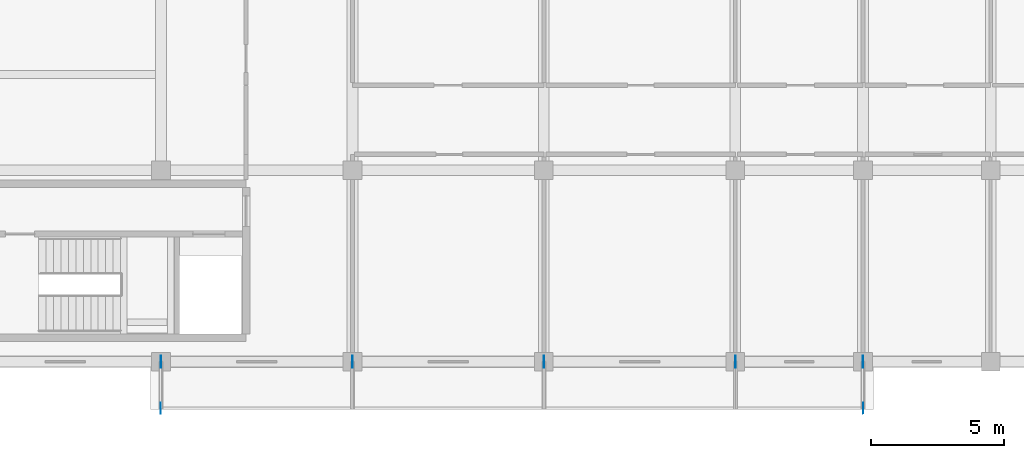
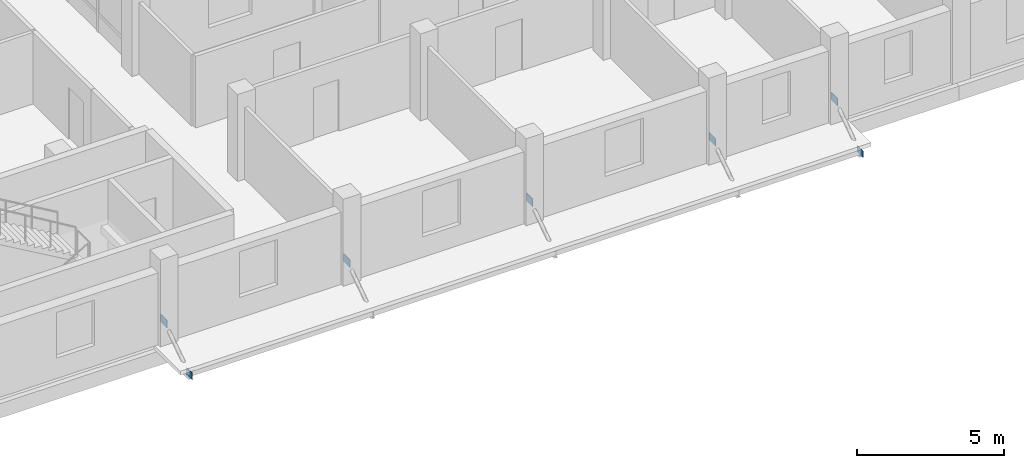
# One storey, part 104 of 128: 7 plates.
"""IFC4 building model written with IfcOpenShell, lengths in metres."""

from ifc_helpers import new_model, si_unit, direction, frame, origin, origin_2d, place, context, subcontext, project, spatial, rectangle, extrude, material, layer, layer_set, type_object, element, save


model = new_model("IFC4")

# Units and contexts
model_context = context("Model", 3, precision=1e-05, world=origin(), true_north=direction((0.0, 1.0)))
body_context = subcontext(model_context, "Body", "Model", "MODEL_VIEW")
ifc_project = project(units=[si_unit("LENGTHUNIT", "METRE"), si_unit("AREAUNIT", "SQUARE_METRE"), si_unit("VOLUMEUNIT", "CUBIC_METRE"), si_unit("PLANEANGLEUNIT", "RADIAN"), si_unit("MASSUNIT", "GRAM", prefix="KILO")], contexts=[model_context])

# Site, building, storey
site_placement = place(None, origin())
site = spatial("IfcSite", under=ifc_project, at=site_placement, CompositionType="ELEMENT")
building_placement = place(site_placement, origin())
building = spatial("IfcBuilding", under=site, at=building_placement, Name="Zornivar Specialist Clinic", CompositionType="ELEMENT")
storey_placement = place(building_placement, frame((0.0, 0.0, 4.5)))
storey = spatial("IfcBuildingStorey", under=building, at=storey_placement, Name="L01", CompositionType="ELEMENT", Elevation=4.5)

# Plates
ifc_material_1 = material(Name="Steel S355J2", Category="steel")
ifc_layer_1 = layer(ifc_material_1, 0.01611328125)
ifc_layer_set_1 = layer_set([ifc_layer_1], Name="Steel S355J2")
plate_type_1 = type_object("IfcPlateType", Name="PL-END-16", PredefinedType="USERDEFINED", material=ifc_layer_set_1)
for number, where, z_axis, x_axis, name in (
    (1, (7.19189453125, -1.75, -0.52001953125), (0.0, 0.0, 1.0), (1.0, 0.0, 0.0), "plate:CAN:L01:capW"),
    (2, (33.60791015625, -1.75, -0.52001953125), (0.0, 0.0, 1.0), (1.0, 0.0, 0.0), "plate:CAN:L01:capE"),
):
    element("IfcPlate", number, at=place(storey_placement, frame(where, z_axis=z_axis, x_axis=x_axis)), inside=storey, type_object=plate_type_1, Name=name, ObjectType="END PLATE", PredefinedType="USERDEFINED", context=body_context, shape_type="SweptSolid", body=[
        extrude(rectangle(XDim=0.01611328125, YDim=0.39990234375, at=origin_2d()), origin(), (0.0, 0.0, 1.0), 0.280029296875),
    ])
ifc_material_2 = material(Name="Steel S355J2", Category="steel")
ifc_layer_2 = layer(ifc_material_2, 0.01806640625)
ifc_layer_set_2 = layer_set([ifc_layer_2], Name="Steel S355J2")
plate_type_2 = type_object("IfcPlateType", Name="PL-GUSSET-V4-18", PredefinedType="USERDEFINED", material=ifc_layer_set_2)
for number, where, z_axis, x_axis, name in (
    (3, (7.199951171875, 0.0, 0.58984375), (0.0, 0.0, 1.0), (0.0, 1.0, 0.0), "plate:bnode:L01:002"),
    (4, (14.39990234375, 0.0, 0.58984375), (0.0, 0.0, 1.0), (0.0, 1.0, 0.0), "plate:bnode:L01:005"),
    (5, (21.60009765625, 0.0, 0.58984375), (0.0, 0.0, 1.0), (0.0, 1.0, 0.0), "plate:bnode:L01:008"),
    (6, (28.800048828125, 0.0, 0.58984375), (0.0, 0.0, 1.0), (0.0, 1.0, 0.0), "plate:bnode:L01:011"),
    (7, (33.60009765625, 0.0, 0.58984375), (0.0, 0.0, 1.0), (0.0, 1.0, 0.0), "plate:bnode:L01:013"),
):
    element("IfcPlate", number, at=place(storey_placement, frame(where, z_axis=z_axis, x_axis=x_axis)), inside=storey, type_object=plate_type_2, Name=name, ObjectType="GUSSET PLATE", PredefinedType="USERDEFINED", context=body_context, shape_type="SweptSolid", body=[
        extrude(rectangle(XDim=0.43994140625, YDim=0.01806640625, at=origin_2d()), origin(), (0.0, 0.0, 1.0), 0.320068359375),
    ])

save(model, "model.ifc")
